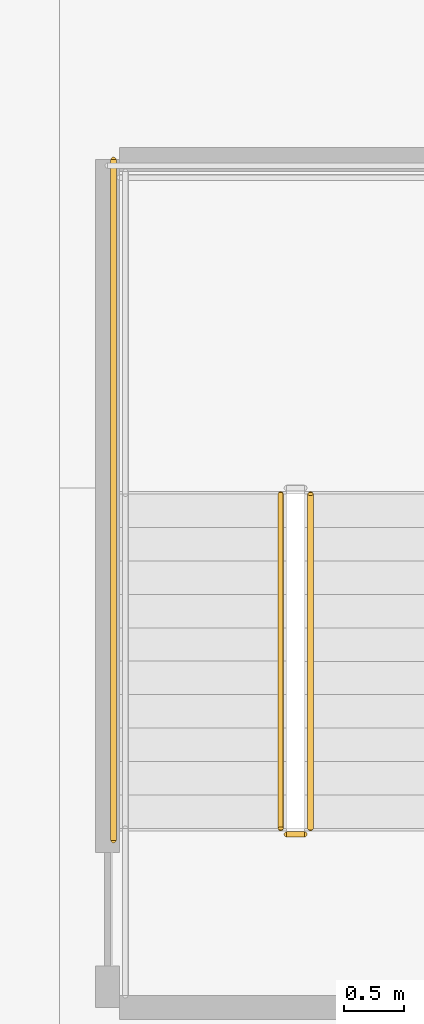
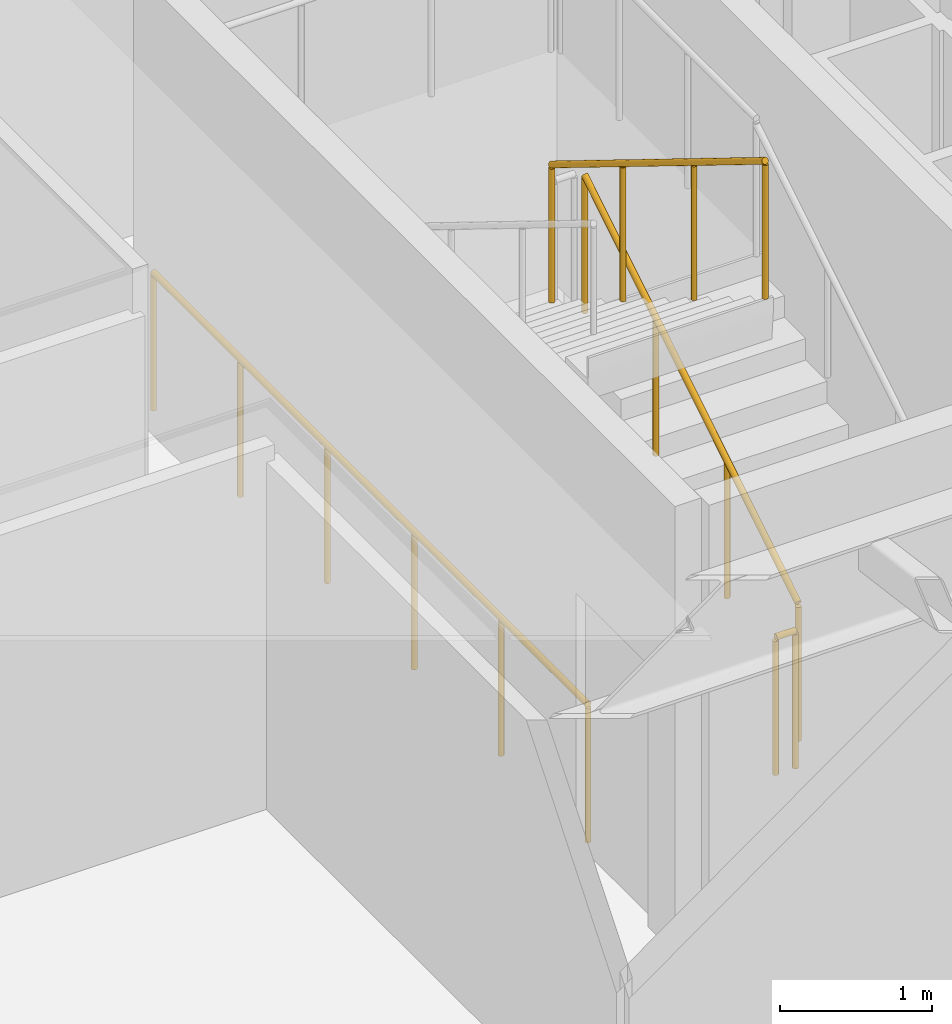
# One storey, part 12 of 18: 4 railings.
"""IFC4 building model written with IfcOpenShell, lengths in metres."""

from ifc_helpers import new_model, si_unit, direction, frame, origin, origin_2d, place, context, subcontext, project, spatial, circle, extrude, material, type_object, element, save


model = new_model("IFC4")

# Units and contexts
model_context = context("Model", 3, precision=1e-05, world=origin(), true_north=direction((0.0, 1.0)))
body_context = subcontext(model_context, "Body", "Model", "MODEL_VIEW")
ifc_project = project(units=[si_unit("LENGTHUNIT", "METRE"), si_unit("AREAUNIT", "SQUARE_METRE"), si_unit("VOLUMEUNIT", "CUBIC_METRE"), si_unit("PLANEANGLEUNIT", "RADIAN"), si_unit("MASSUNIT", "GRAM", prefix="KILO")], contexts=[model_context])

# Site, building, storey
site_placement = place(None, origin())
site = spatial("IfcSite", under=ifc_project, at=site_placement, CompositionType="ELEMENT")
building_placement = place(site_placement, origin())
building = spatial("IfcBuilding", under=site, at=building_placement, Name="Valkerne Bourse Tower", CompositionType="ELEMENT")
storey_placement = place(building_placement, frame((0.0, 0.0, 108.60009765625)))
storey = spatial("IfcBuildingStorey", under=building, at=storey_placement, Name="L27", CompositionType="ELEMENT", Elevation=108.60009765625)

# Railings
ifc_material = material(Name="Galvanised Painted Steel", Category="steel")
railing_type = type_object("IfcRailingType", Name="RLG-ST-GUARD-1120", PredefinedType="GUARDRAIL", material=ifc_material)
railing_1_placement = place(storey_placement, frame((35.699951171875, 24.14990234375, 0.172607421875)))
element("IfcRailing", 1, at=railing_1_placement, inside=storey, type_object=railing_type, Name="L27 ST-3 stair guard 1", PredefinedType="GUARDRAIL", context=body_context, shape_type="SweptSolid", body=[
    extrude(circle(Radius=0.02392578125, at=origin_2d()), frame((0.0, 0.0, 1.09619140625), z_axis=(0.0, 0.851089632645, 0.525020415988), x_axis=(-1.0, 0.0, 0.0)), (0.0, 0.0, 1.0), 3.2900390625),
    extrude(circle(Radius=0.02099609375, at=origin_2d()), origin(), (0.0, 0.0, 1.0), 1.072021484375),
    extrude(circle(Radius=0.02099609375, at=origin_2d()), frame((0.0, 0.933349609375, 0.57568359375)), (0.0, 0.0, 1.0), 1.072021484375),
    extrude(circle(Radius=0.02099609375, at=origin_2d()), frame((0.0, 1.86669921875, 1.151611328125)), (0.0, 0.0, 1.0), 1.072021484375),
    extrude(circle(Radius=0.02099609375, at=origin_2d()), frame((0.0, 2.800048828125, 1.727294921875)), (0.0, 0.0, 1.0), 1.072021484375),
])
railing_2_placement = place(storey_placement, frame((35.449951171875, 26.949951171875, 2.072509765625)))
element("IfcRailing", 2, at=railing_2_placement, inside=storey, type_object=railing_type, Name="L27 ST-3 stair guard 6", PredefinedType="GUARDRAIL", context=body_context, shape_type="SweptSolid", body=[
    extrude(circle(Radius=0.02392578125, at=origin_2d()), frame((0.0, 0.0, 1.09619140625), z_axis=(0.0, -0.851089632645, 0.525020415988), x_axis=(1.0, 0.0, 0.0)), (0.0, 0.0, 1.0), 3.2900390625),
    extrude(circle(Radius=0.02099609375, at=origin_2d()), origin(), (0.0, 0.0, 1.0), 1.072021484375),
    extrude(circle(Radius=0.02099609375, at=origin_2d()), frame((0.0, -0.933349609375, 0.57568359375)), (0.0, 0.0, 1.0), 1.072021484375),
    extrude(circle(Radius=0.02099609375, at=origin_2d()), frame((0.0, -1.86669921875, 1.151611328125)), (0.0, 0.0, 1.0), 1.072021484375),
    extrude(circle(Radius=0.02099609375, at=origin_2d()), frame((0.0, -2.800048828125, 1.727294921875)), (0.0, 0.0, 1.0), 1.072021484375),
])
railing_3_placement = place(storey_placement, frame((35.64990234375, 24.10009765625, 0.0)))
element("IfcRailing", 3, at=railing_3_placement, inside=storey, type_object=railing_type, Name="L27 ST-3 stair guard 7", PredefinedType="GUARDRAIL", context=body_context, shape_type="SweptSolid", body=[
    extrude(circle(Radius=0.02392578125, at=origin_2d()), frame((0.0, 0.0, 1.09619140625), z_axis=(-1.0, 0.0, 0.0), x_axis=(0.0, -1.0, 0.0)), (0.0, 0.0, 1.0), 0.14990234375),
    extrude(circle(Radius=0.02099609375, at=origin_2d()), origin(), (0.0, 0.0, 1.0), 1.072021484375),
    extrude(circle(Radius=0.02099609375, at=origin_2d()), frame((-0.14990234375, 0.0, 0.0)), (0.0, 0.0, 1.0), 1.072021484375),
])
railing_4_placement = place(storey_placement, frame((34.050048828125, 24.050048828125, 0.0)))
element("IfcRailing", 4, at=railing_4_placement, inside=storey, type_object=railing_type, Name="L27 ST-3 stair guard 11", PredefinedType="GUARDRAIL", context=body_context, shape_type="SweptSolid", body=[
    extrude(circle(Radius=0.02392578125, at=origin_2d()), frame((0.0, 0.0, 1.09619140625), z_axis=(0.0, 1.0, 0.0), x_axis=(-1.0, 0.0, 0.0)), (0.0, 0.0, 1.0), 5.699951171875),
    extrude(circle(Radius=0.02099609375, at=origin_2d()), origin(), (0.0, 0.0, 1.0), 1.072021484375),
    extrude(circle(Radius=0.02099609375, at=origin_2d()), frame((0.0, 1.139892578125, 0.0)), (0.0, 0.0, 1.0), 1.072021484375),
    extrude(circle(Radius=0.02099609375, at=origin_2d()), frame((0.0, 2.280029296875, 0.0)), (0.0, 0.0, 1.0), 1.072021484375),
    extrude(circle(Radius=0.02099609375, at=origin_2d()), frame((0.0, 3.419921875, 0.0)), (0.0, 0.0, 1.0), 1.072021484375),
    extrude(circle(Radius=0.02099609375, at=origin_2d()), frame((0.0, 4.56005859375, 0.0)), (0.0, 0.0, 1.0), 1.072021484375),
    extrude(circle(Radius=0.02099609375, at=origin_2d()), frame((0.0, 5.699951171875, 0.0)), (0.0, 0.0, 1.0), 1.072021484375),
])

save(model, "model.ifc")
